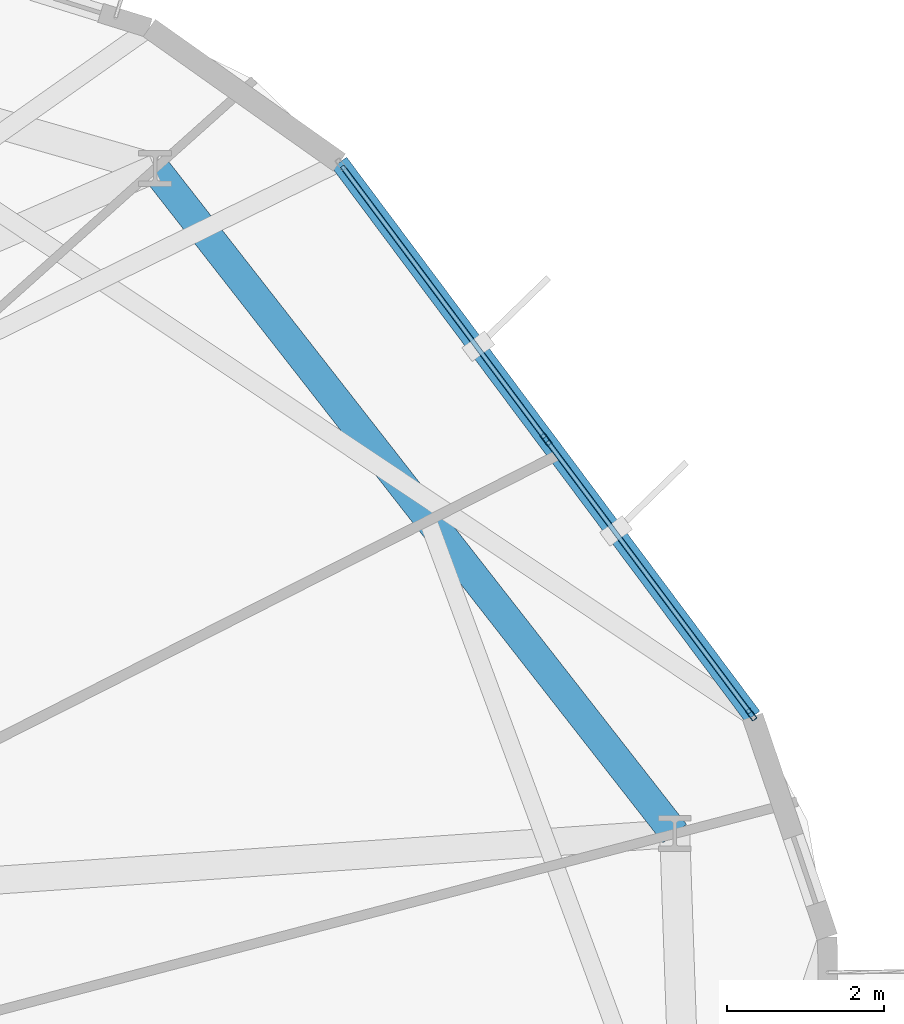
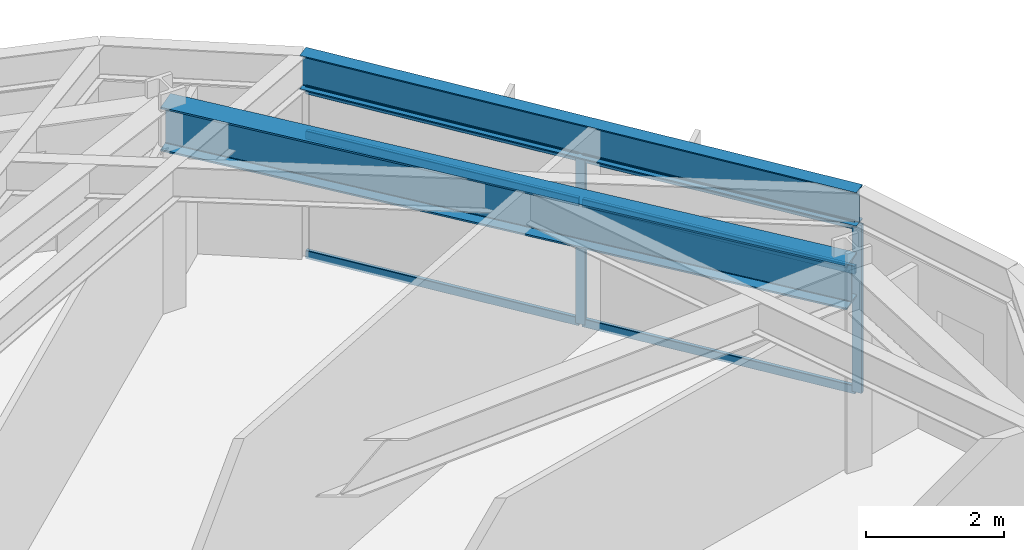
# One storey, part 14 of 25: 8 members, 2 beams, 1 element without a shape of its own.
"""IFC4 building model written with IfcOpenShell, lengths in metres."""

from ifc_helpers import new_model, si_unit, direction, frame, origin, origin_2d, place, context, subcontext, project, spatial, hollow_rectangle, i_section, extrude, material, layer, layer_set, material_profile, profile_set, type_object, element, aggregate, save


model = new_model("IFC4")

# Units and contexts
model_context = context("Model", 3, precision=1e-05, world=origin(), true_north=direction((0.0, 1.0)))
body_context = subcontext(model_context, "Body", "Model", "MODEL_VIEW")
ifc_project = project(units=[si_unit("LENGTHUNIT", "METRE"), si_unit("AREAUNIT", "SQUARE_METRE"), si_unit("VOLUMEUNIT", "CUBIC_METRE"), si_unit("PLANEANGLEUNIT", "RADIAN"), si_unit("MASSUNIT", "GRAM", prefix="KILO")], contexts=[model_context])

# Site, building, storey
site_placement = place(None, origin())
site = spatial("IfcSite", under=ifc_project, at=site_placement, CompositionType="ELEMENT")
building_placement = place(site_placement, origin())
building = spatial("IfcBuilding", under=site, at=building_placement, Name="Soratama Intermodal Tower", CompositionType="ELEMENT")
storey_placement = place(building_placement, frame((0.0, 0.0, 106.89990234375)))
storey = spatial("IfcBuildingStorey", under=building, at=storey_placement, Name="L25", CompositionType="ELEMENT", Elevation=106.89990234375)

# Beams
ifc_material_1 = material(Name="Structural steel ASTM A992 Grade 50", Category="steel")
ifc_material_profile_1 = material_profile(ifc_material_1, i_section(OverallWidth=0.382080078125, OverallDepth=0.779052734375, WebThickness=0.01806640625, FlangeThickness=0.030029296875, FilletRadius=0.01806640625, at=origin_2d()), Name="W30X191")
ifc_profile_set_1 = profile_set([ifc_material_profile_1], Name="Structural steel ASTM A992 Grade 50")
beam_type_1 = type_object("IfcBeamType", Name="BM-RING-W30X191", PredefinedType="BEAM", material=ifc_profile_set_1)
beam_1_placement = place(storey_placement, frame((61.35107421875, 30.950927734375, 3.210693359375), z_axis=(-0.615683690883, 0.787993396407, 0.0), x_axis=(-0.787993396407, -0.615683690883, 0.0)))
element("IfcBeam", 1, at=beam_1_placement, inside=storey, type_object=beam_type_1, Name="BM-L25-RING-01", PredefinedType="BEAM", context=body_context, shape_type="SweptSolid", body=[
    extrude(i_section(OverallWidth=0.382080078125, OverallDepth=0.779052734375, WebThickness=0.01806640625, FlangeThickness=0.030029296875, FilletRadius=0.01806640625, at=origin_2d()), origin(), (0.0, 0.0, 1.0), 10.754150390625),
])
ifc_material_2 = material(Name="Structural steel ASTM A992 Grade 50", Category="steel")
ifc_material_profile_2 = material_profile(ifc_material_2, i_section(OverallWidth=0.22900390625, OverallDepth=0.612060546875, WebThickness=0.011962890625, FlangeThickness=0.01953125, FilletRadius=0.012939453125, at=origin_2d()), Name="W24X84")
ifc_profile_set_2 = profile_set([ifc_material_profile_2], Name="Structural steel ASTM A992 Grade 50")
beam_type_2 = type_object("IfcBeamType", Name="BM-SPN-W24X84", PredefinedType="SPANDREL", material=ifc_profile_set_2)
beam_2_placement = place(storey_placement, frame((62.343017578125, 32.443115234375, 3.294189453125), z_axis=(-0.59789091216, 0.801577480445, 0.0), x_axis=(-0.801577480445, -0.59789091216, 0.0)))
element("IfcBeam", 2, at=beam_2_placement, inside=storey, type_object=beam_type_2, Name="BS-L25-F01", PredefinedType="SPANDREL", context=body_context, shape_type="SweptSolid", body=[
    extrude(i_section(OverallWidth=0.22900390625, OverallDepth=0.612060546875, WebThickness=0.011962890625, FlangeThickness=0.01953125, FilletRadius=0.012939453125, at=origin_2d()), origin(), (0.0, 0.0, 1.0), 8.80615234375),
])

# Curtain wall, members
ifc_material_3 = material(Name="Double-glazed aluminium curtain wall", Category="aluminium")
ifc_layer = layer(ifc_material_3, 0.159912109375)
ifc_layer_set = layer_set([ifc_layer], Name="Double-glazed aluminium curtain wall")
curtain_wall_type = type_object("IfcCurtainWallType", Name="CW-SYS-3", PredefinedType="NOTDEFINED", material=ifc_layer_set)
curtain_wall_placement = place(storey_placement, origin())
curtain_wall = element("IfcCurtainWall", 3, at=curtain_wall_placement, inside=storey, type_object=curtain_wall_type, Name="L25 Faceted Curtain Wall F01", PredefinedType="NOTDEFINED")
ifc_material_4 = material(Name="Anodised aluminium AA 6063-T6", Category="aluminium")
ifc_material_profile_3 = material_profile(ifc_material_4, hollow_rectangle(XDim=0.070068359375, YDim=0.159912109375, WallThickness=0.0048828125, InnerFilletRadius=0.0048828125, OuterFilletRadius=0.010009765625, at=origin_2d()), Name="CWM160X70X5")
ifc_profile_set_3 = profile_set([ifc_material_profile_3], Name="Anodised aluminium AA 6063-T6")
member_type_1 = type_object("IfcMemberType", Name="MT-CWM-3", PredefinedType="MULLION", material=ifc_profile_set_3)
member_1_placement = place(storey_placement, frame((62.324951171875, 32.46728515625, 0.0), z_axis=(0.0, 0.0, 1.0), x_axis=(-0.801564290617, -0.597908595027, 0.0)))
member_1 = element("IfcMember", 4, at=member_1_placement, type_object=member_type_1, Name="CW-3 mullion 1", PredefinedType="MULLION", context=body_context, shape_type="SweptSolid", body=[
    extrude(hollow_rectangle(XDim=0.070068359375, YDim=0.159912109375, WallThickness=0.0048828125, InnerFilletRadius=0.0048828125, OuterFilletRadius=0.010009765625, at=origin_2d()), origin(), (0.0, 0.0, 1.0), 2.97900390625),
])
member_2_placement = place(storey_placement, frame((59.710205078125, 35.97265625, 0.0), z_axis=(0.0, 0.0, 1.0), x_axis=(-0.801564290617, -0.597908595027, 0.0)))
member_2 = element("IfcMember", 5, at=member_2_placement, type_object=member_type_1, Name="CW-3 mullion 2", PredefinedType="MULLION", context=body_context, shape_type="SweptSolid", body=[
    extrude(hollow_rectangle(XDim=0.070068359375, YDim=0.159912109375, WallThickness=0.0048828125, InnerFilletRadius=0.0048828125, OuterFilletRadius=0.010009765625, at=origin_2d()), origin(), (0.0, 0.0, 1.0), 2.97900390625),
])
ifc_material_5 = material(Name="Anodised aluminium AA 6063-T6", Category="aluminium")
ifc_material_profile_4 = material_profile(ifc_material_5, hollow_rectangle(XDim=0.06494140625, YDim=0.14990234375, WallThickness=0.0048828125, InnerFilletRadius=0.0048828125, OuterFilletRadius=0.010009765625, at=origin_2d()), Name="CWT150X65X5")
ifc_profile_set_4 = profile_set([ifc_material_profile_4], Name="Anodised aluminium AA 6063-T6")
member_type_2 = type_object("IfcMemberType", Name="TT-CWT-1", PredefinedType="USERDEFINED", material=ifc_profile_set_4)
member_3_placement = place(storey_placement, frame((62.30712890625, 32.4912109375, 0.030029296875), z_axis=(-0.597878745053, 0.80158655566, 0.0), x_axis=(-0.80158655566, -0.597878745053, 0.0)))
member_3 = element("IfcMember", 6, at=member_3_placement, type_object=member_type_2, Name="CW-3 transom 1.1", ObjectType="TRANSOM", PredefinedType="USERDEFINED", context=body_context, shape_type="SweptSolid", body=[
    extrude(hollow_rectangle(XDim=0.06494140625, YDim=0.14990234375, WallThickness=0.0048828125, InnerFilletRadius=0.0048828125, OuterFilletRadius=0.010009765625, at=origin_2d()), origin(), (0.0, 0.0, 1.0), 4.313232421875),
])
member_4_placement = place(storey_placement, frame((62.30712890625, 32.4912109375, 2.150146484375), z_axis=(-0.597878745053, 0.80158655566, 0.0), x_axis=(-0.80158655566, -0.597878745053, 0.0)))
member_4 = element("IfcMember", 7, at=member_4_placement, type_object=member_type_2, Name="CW-3 transom 1.2", ObjectType="TRANSOM", PredefinedType="USERDEFINED", context=body_context, shape_type="SweptSolid", body=[
    extrude(hollow_rectangle(XDim=0.06494140625, YDim=0.14990234375, WallThickness=0.0048828125, InnerFilletRadius=0.0048828125, OuterFilletRadius=0.010009765625, at=origin_2d()), origin(), (0.0, 0.0, 1.0), 4.313232421875),
])
member_5_placement = place(storey_placement, frame((62.30712890625, 32.4912109375, 2.94921875), z_axis=(-0.597878745053, 0.80158655566, 0.0), x_axis=(-0.80158655566, -0.597878745053, 0.0)))
member_5 = element("IfcMember", 8, at=member_5_placement, type_object=member_type_2, Name="CW-3 transom 1.3", ObjectType="TRANSOM", PredefinedType="USERDEFINED", context=body_context, shape_type="SweptSolid", body=[
    extrude(hollow_rectangle(XDim=0.06494140625, YDim=0.14990234375, WallThickness=0.0048828125, InnerFilletRadius=0.0048828125, OuterFilletRadius=0.010009765625, at=origin_2d()), origin(), (0.0, 0.0, 1.0), 4.313232421875),
])
member_6_placement = place(storey_placement, frame((59.6923828125, 35.996826171875, 0.030029296875), z_axis=(-0.597942238743, 0.801539193756, 0.0), x_axis=(-0.801539193756, -0.597942238743, 0.0)))
member_6 = element("IfcMember", 9, at=member_6_placement, type_object=member_type_2, Name="CW-3 transom 2.1", ObjectType="TRANSOM", PredefinedType="USERDEFINED", context=body_context, shape_type="SweptSolid", body=[
    extrude(hollow_rectangle(XDim=0.06494140625, YDim=0.14990234375, WallThickness=0.0048828125, InnerFilletRadius=0.0048828125, OuterFilletRadius=0.010009765625, at=origin_2d()), origin(), (0.0, 0.0, 1.0), 4.313232421875),
])
member_7_placement = place(storey_placement, frame((59.6923828125, 35.996826171875, 2.150146484375), z_axis=(-0.597942238743, 0.801539193756, 0.0), x_axis=(-0.801539193756, -0.597942238743, 0.0)))
member_7 = element("IfcMember", 10, at=member_7_placement, type_object=member_type_2, Name="CW-3 transom 2.2", ObjectType="TRANSOM", PredefinedType="USERDEFINED", context=body_context, shape_type="SweptSolid", body=[
    extrude(hollow_rectangle(XDim=0.06494140625, YDim=0.14990234375, WallThickness=0.0048828125, InnerFilletRadius=0.0048828125, OuterFilletRadius=0.010009765625, at=origin_2d()), origin(), (0.0, 0.0, 1.0), 4.313232421875),
])
member_8_placement = place(storey_placement, frame((59.6923828125, 35.996826171875, 2.94921875), z_axis=(-0.597942238743, 0.801539193756, 0.0), x_axis=(-0.801539193756, -0.597942238743, 0.0)))
member_8 = element("IfcMember", 11, at=member_8_placement, type_object=member_type_2, Name="CW-3 transom 2.3", ObjectType="TRANSOM", PredefinedType="USERDEFINED", context=body_context, shape_type="SweptSolid", body=[
    extrude(hollow_rectangle(XDim=0.06494140625, YDim=0.14990234375, WallThickness=0.0048828125, InnerFilletRadius=0.0048828125, OuterFilletRadius=0.010009765625, at=origin_2d()), origin(), (0.0, 0.0, 1.0), 4.313232421875),
])
aggregate(curtain_wall, [member_1, member_2, member_3, member_4, member_5, member_6, member_7, member_8])

save(model, "model.ifc")
